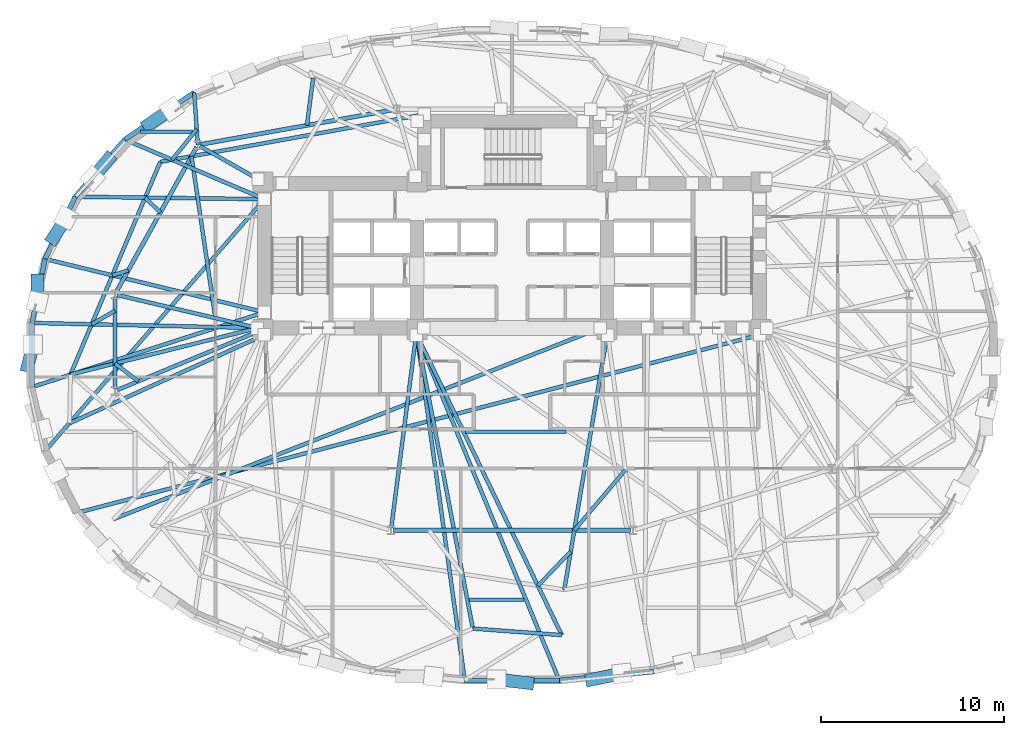
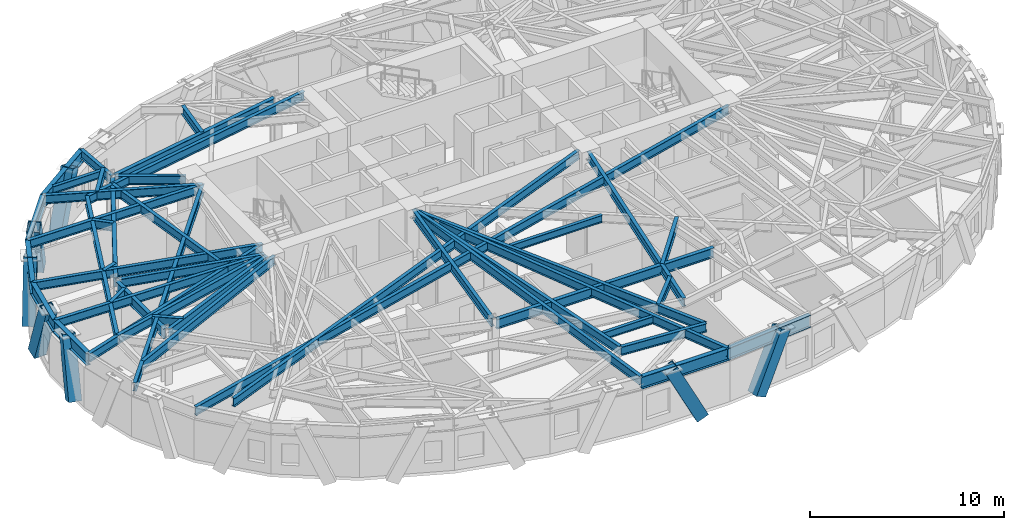
# One storey, part 2 of 14: 46 beams, 7 members.
"""IFC4 building model written with IfcOpenShell, lengths in metres."""

from ifc_helpers import new_model, si_unit, direction, frame, origin, origin_2d, place, context, subcontext, project, spatial, hollow_rectangle, i_section, extrude, material, material_profile, profile_set, type_object, element, save


model = new_model("IFC4")

# Units and contexts
model_context = context("Model", 3, precision=1e-05, world=origin(), true_north=direction((0.0, 1.0)))
body_context = subcontext(model_context, "Body", "Model", "MODEL_VIEW")
ifc_project = project(units=[si_unit("LENGTHUNIT", "METRE"), si_unit("AREAUNIT", "SQUARE_METRE"), si_unit("VOLUMEUNIT", "CUBIC_METRE"), si_unit("PLANEANGLEUNIT", "RADIAN"), si_unit("MASSUNIT", "GRAM", prefix="KILO")], contexts=[model_context])

# Site, building, storey
site_placement = place(None, origin())
site = spatial("IfcSite", under=ifc_project, at=site_placement, CompositionType="ELEMENT")
building_placement = place(site_placement, origin())
building = spatial("IfcBuilding", under=site, at=building_placement, Name="Keldmark Tower", CompositionType="ELEMENT")
storey_placement = place(building_placement, frame((0.0, 0.0, 117.60009765625)))
storey = spatial("IfcBuildingStorey", under=building, at=storey_placement, Name="L31", CompositionType="ELEMENT", Elevation=117.60009765625)

# Beams
ifc_material_1 = material(Name="Steel ASTM A992 Grade 50", Category="steel")
ifc_material_profile_1 = material_profile(ifc_material_1, i_section(OverallWidth=0.19091796875, OverallDepth=0.45703125, WebThickness=0.009033203125, FlangeThickness=0.014404296875, at=origin_2d()), Name="W18X50")
ifc_profile_set_1 = profile_set([ifc_material_profile_1], Name="Steel ASTM A992 Grade 50")
beam_type_1 = type_object("IfcBeamType", Name="Composite Floor Joist W18X50", PredefinedType="JOIST", material=ifc_profile_set_1)
beam_1_placement = place(storey_placement, frame((-2.3408203125, -13.3798828125, 3.081298828125), z_axis=(1.0, 0.0, 0.0), x_axis=(0.0, 1.0, 0.0)))
element("IfcBeam", 1, at=beam_1_placement, inside=storey, type_object=beam_type_1, Name="L31 Composite Floor Joist J02", PredefinedType="JOIST", context=body_context, shape_type="SweptSolid", body=[
    extrude(i_section(OverallWidth=0.19091796875, OverallDepth=0.45703125, WebThickness=0.009033203125, FlangeThickness=0.014404296875, at=origin_2d()), origin(), (0.0, 0.0, 1.0), 3.005859375),
])
beam_2_placement = place(storey_placement, frame((-2.543701171875, -4.179931640625, 3.081298828125), z_axis=(1.0, 0.0, 0.0), x_axis=(0.0, 1.0, 0.0)))
element("IfcBeam", 2, at=beam_2_placement, inside=storey, type_object=beam_type_1, Name="L31 Composite Floor Joist J06", PredefinedType="JOIST", context=body_context, shape_type="SweptSolid", body=[
    extrude(i_section(OverallWidth=0.19091796875, OverallDepth=0.45703125, WebThickness=0.009033203125, FlangeThickness=0.014404296875, at=origin_2d()), origin(), (0.0, 0.0, 1.0), 5.4814453125),
])
beam_3_placement = place(storey_placement, frame((-20.302978515625, 12.199951171875, 3.081298828125), z_axis=(1.0, 0.0, 0.0), x_axis=(0.0, 1.0, 0.0)))
element("IfcBeam", 3, at=beam_3_placement, inside=storey, type_object=beam_type_1, Name="L31 Composite Floor Joist J08", PredefinedType="JOIST", context=body_context, shape_type="SweptSolid", body=[
    extrude(i_section(OverallWidth=0.19091796875, OverallDepth=0.45703125, WebThickness=0.009033203125, FlangeThickness=0.014404296875, at=origin_2d()), origin(), (0.0, 0.0, 1.0), 2.840576171875),
])

# Members
ifc_material_2 = material(Name="Steel ASTM A572 Grade 50", Category="steel")
ifc_material_profile_2 = material_profile(ifc_material_2, hollow_rectangle(XDim=0.699951171875, YDim=0.699951171875, WallThickness=0.044921875, at=origin_2d()), Name="BOX700X700X45")
ifc_profile_set_2 = profile_set([ifc_material_profile_2], Name="Steel ASTM A572 Grade 50")
member_type = type_object("IfcMemberType", Name="Diagrid Zone 2 Brace BOX700X700X45", PredefinedType="BRACE", material=ifc_profile_set_2)
member_1_placement = place(storey_placement, frame((-19.8623046875, 12.58740234375, -0.27001953125), z_axis=(0.335797707694, 0.2257794349, 0.914474464534), x_axis=(-0.557971082519, 0.82986039252, 0.0)))
element("IfcMember", 4, at=member_1_placement, inside=storey, type_object=member_type, Name="L31 Perimeter Diagrid Brace 06B", PredefinedType="BRACE", context=body_context, shape_type="SweptSolid", body=[
    extrude(hollow_rectangle(XDim=0.699951171875, YDim=0.699951171875, WallThickness=0.044921875, at=origin_2d()), origin(), (0.0, 0.0, 1.0), 3.783447265625),
])
member_2_placement = place(storey_placement, frame((-22.047607421875, 10.705810546875, -0.27001953125), z_axis=(-0.233709121442, -0.283325548235, 0.930111111788), x_axis=(0.771419328775, -0.636327132214, 0.0)))
element("IfcMember", 5, at=member_2_placement, inside=storey, type_object=member_type, Name="L31 Perimeter Diagrid Brace 07A", PredefinedType="BRACE", context=body_context, shape_type="SweptSolid", body=[
    extrude(hollow_rectangle(XDim=0.699951171875, YDim=0.699951171875, WallThickness=0.044921875, at=origin_2d()), origin(), (0.0, 0.0, 1.0), 3.719970703125),
])
member_3_placement = place(storey_placement, frame((-25.07470703125, 6.390625, -0.27001953125), z_axis=(0.192675464212, 0.296307008855, 0.935456210624), x_axis=(-0.838345465807, 0.545139321606, 0.0)))
element("IfcMember", 6, at=member_3_placement, inside=storey, type_object=member_type, Name="L31 Perimeter Diagrid Brace 07B", PredefinedType="BRACE", context=body_context, shape_type="SweptSolid", body=[
    extrude(hollow_rectangle(XDim=0.699951171875, YDim=0.699951171875, WallThickness=0.044921875, at=origin_2d()), origin(), (0.0, 0.0, 1.0), 3.69873046875),
])
member_4_placement = place(storey_placement, frame((-25.92724609375, 4.0986328125, -0.27001953125), z_axis=(-0.000666691478, -0.327545523349, 0.94483516322), x_axis=(0.999997928547, -0.002035412026, 0.0)))
element("IfcMember", 7, at=member_4_placement, inside=storey, type_object=member_type, Name="L31 Perimeter Diagrid Brace 08A", PredefinedType="BRACE", context=body_context, shape_type="SweptSolid", body=[
    extrude(hollow_rectangle(XDim=0.699951171875, YDim=0.699951171875, WallThickness=0.044921875, at=origin_2d()), origin(), (0.0, 0.0, 1.0), 3.661865234375),
])
member_5_placement = place(storey_placement, frame((-26.462158203125, -0.59619140625, -0.27001953125), z_axis=(0.081382551716, 0.320268978071, 0.943824486841), x_axis=(-0.969198705656, 0.246280062032, 0.0)))
element("IfcMember", 8, at=member_5_placement, inside=storey, type_object=member_type, Name="L31 Perimeter Diagrid Brace 08B", PredefinedType="BRACE", context=body_context, shape_type="SweptSolid", body=[
    extrude(hollow_rectangle(XDim=0.699951171875, YDim=0.699951171875, WallThickness=0.044921875, at=origin_2d()), origin(), (0.0, 0.0, 1.0), 3.666015625),
])
member_6_placement = place(storey_placement, frame((0.876708984375, -17.921142578125, -0.27001953125), z_axis=(-0.446958771668, 0.05211263276, 0.893035346409), x_axis=(-0.115809319173, -0.993271464199, 0.0)))
element("IfcMember", 9, at=member_6_placement, inside=storey, type_object=member_type, Name="L31 Perimeter Diagrid Brace 12B", PredefinedType="BRACE", context=body_context, shape_type="SweptSolid", body=[
    extrude(hollow_rectangle(XDim=0.699951171875, YDim=0.699951171875, WallThickness=0.044921875, at=origin_2d()), origin(), (0.0, 0.0, 1.0), 3.874267578125),
])
member_7_placement = place(storey_placement, frame((4.3359375, -17.739013671875, -0.27001953125), z_axis=(0.434868401158, 0.088149854764, 0.896169111708), x_axis=(-0.19866427765, 0.980067602151, 0.0)))
element("IfcMember", 10, at=member_7_placement, inside=storey, type_object=member_type, Name="L31 Perimeter Diagrid Brace 13A", PredefinedType="BRACE", context=body_context, shape_type="SweptSolid", body=[
    extrude(hollow_rectangle(XDim=0.699951171875, YDim=0.699951171875, WallThickness=0.044921875, at=origin_2d()), origin(), (0.0, 0.0, 1.0), 3.86083984375),
])

# Beams
ifc_material_3 = material(Name="Steel ASTM A992 Grade 50", Category="steel")
ifc_material_profile_3 = material_profile(ifc_material_3, i_section(OverallWidth=0.22900390625, OverallDepth=0.612060546875, WebThickness=0.011962890625, FlangeThickness=0.01953125, at=origin_2d()), Name="W24X84")
ifc_profile_set_3 = profile_set([ifc_material_profile_3], Name="Steel ASTM A992 Grade 50")
beam_type_2 = type_object("IfcBeamType", Name="Primary Floor Girder W24X84", PredefinedType="BEAM", material=ifc_profile_set_3)
beam_4_placement = place(storey_placement, frame((-6.4365234375, 13.40771484375, 3.00390625), z_axis=(-0.984218266992, -0.176958760505, 0.0), x_axis=(0.176958760505, -0.984218266992, 0.0)))
element("IfcBeam", 11, at=beam_4_placement, inside=storey, type_object=beam_type_2, Name="L31 Floor Ring Girder FG-R04", PredefinedType="BEAM", context=body_context, shape_type="SweptSolid", body=[
    extrude(i_section(OverallWidth=0.22900390625, OverallDepth=0.612060546875, WebThickness=0.011962890625, FlangeThickness=0.01953125, at=origin_2d()), origin(), (0.0, 0.0, 1.0), 10.7626953125),
])
beam_5_placement = place(storey_placement, frame((-17.235107421875, 11.35595703125, 3.00390625), z_axis=(-0.484951836703, -0.874540860154, 0.0), x_axis=(0.874540860154, -0.484951836703, 0.0)))
element("IfcBeam", 12, at=beam_5_placement, inside=storey, type_object=beam_type_2, Name="L31 Floor Ring Girder FG-R05", PredefinedType="BEAM", context=body_context, shape_type="SweptSolid", body=[
    extrude(i_section(OverallWidth=0.22900390625, OverallDepth=0.612060546875, WebThickness=0.011962890625, FlangeThickness=0.01953125, at=origin_2d()), origin(), (0.0, 0.0, 1.0), 9.060302734375),
])
beam_6_placement = place(storey_placement, frame((-21.697021484375, 3.169921875, 3.00390625), z_axis=(0.0, -1.0, 0.0), x_axis=(1.0, 0.0, 0.0)))
element("IfcBeam", 13, at=beam_6_placement, inside=storey, type_object=beam_type_2, Name="L31 Floor Ring Girder FG-R06", PredefinedType="BEAM", context=body_context, shape_type="SweptSolid", body=[
    extrude(i_section(OverallWidth=0.22900390625, OverallDepth=0.612060546875, WebThickness=0.011962890625, FlangeThickness=0.01953125, at=origin_2d()), origin(), (0.0, 0.0, 1.0), 4.995849609375),
])
beam_7_placement = place(storey_placement, frame((-6.472900390625, -9.579345703125, 3.00390625), z_axis=(1.0, 0.0, 0.0), x_axis=(0.0, 1.0, 0.0)))
element("IfcBeam", 14, at=beam_7_placement, inside=storey, type_object=beam_type_2, Name="L31 Floor Ring Girder FG-R09", PredefinedType="BEAM", context=body_context, shape_type="SweptSolid", body=[
    extrude(i_section(OverallWidth=0.22900390625, OverallDepth=0.612060546875, WebThickness=0.011962890625, FlangeThickness=0.01953125, at=origin_2d()), origin(), (0.0, 0.0, 1.0), 12.94580078125),
])
ifc_material_4 = material(Name="Steel ASTM A992 Grade 50", Category="steel")
ifc_material_profile_4 = material_profile(ifc_material_4, i_section(OverallWidth=0.2099609375, OverallDepth=0.537109375, WebThickness=0.010986328125, FlangeThickness=0.017333984375, at=origin_2d()), Name="W21X68")
ifc_profile_set_4 = profile_set([ifc_material_profile_4], Name="Steel ASTM A992 Grade 50")
beam_type_3 = type_object("IfcBeamType", Name="Radial Tie Girder W21X68", PredefinedType="BEAM", material=ifc_profile_set_4)
beam_8_placement = place(storey_placement, frame((-17.04541015625, 11.4091796875, 3.04150390625), z_axis=(0.86928447329, -0.494312152892, 0.0), x_axis=(0.494312152892, 0.86928447329, 0.0)))
element("IfcBeam", 15, at=beam_8_placement, inside=storey, type_object=beam_type_3, Name="L31 Floor Radial Girder FG-C05", PredefinedType="BEAM", context=body_context, shape_type="SweptSolid", body=[
    extrude(i_section(OverallWidth=0.2099609375, OverallDepth=0.537109375, WebThickness=0.010986328125, FlangeThickness=0.017333984375, at=origin_2d()), origin(), (0.0, 0.0, 1.0), 3.6435546875),
])
beam_9_placement = place(storey_placement, frame((-21.560546875, 3.27783203125, 3.04150390625), z_axis=(0.973283778272, -0.229605502879, 0.0), x_axis=(0.229605502879, 0.973283778272, 0.0)))
element("IfcBeam", 16, at=beam_9_placement, inside=storey, type_object=beam_type_3, Name="L31 Floor Radial Girder FG-C06", PredefinedType="BEAM", context=body_context, shape_type="SweptSolid", body=[
    extrude(i_section(OverallWidth=0.2099609375, OverallDepth=0.537109375, WebThickness=0.010986328125, FlangeThickness=0.017333984375, at=origin_2d()), origin(), (0.0, 0.0, 1.0), 7.85888671875),
])
beam_10_placement = place(storey_placement, frame((-21.567626953125, -1.912109375, 3.04150390625), z_axis=(0.923397393633, 0.383845350932, 0.0), x_axis=(-0.383845350932, 0.923397393633, 0.0)))
element("IfcBeam", 17, at=beam_10_placement, inside=storey, type_object=beam_type_3, Name="L31 Floor Radial Girder FG-C07", PredefinedType="BEAM", context=body_context, shape_type="SweptSolid", body=[
    extrude(i_section(OverallWidth=0.2099609375, OverallDepth=0.537109375, WebThickness=0.010986328125, FlangeThickness=0.017333984375, at=origin_2d()), origin(), (0.0, 0.0, 1.0), 8.30859375),
])
beam_11_placement = place(storey_placement, frame((-6.594970703125, -9.4404296875, 3.04150390625), z_axis=(0.127642040045, 0.991820301069, 0.0), x_axis=(-0.991820301069, 0.127642040045, 0.0)))
element("IfcBeam", 18, at=beam_11_placement, inside=storey, type_object=beam_type_3, Name="L31 Floor Radial Girder FG-C09", PredefinedType="BEAM", context=body_context, shape_type="SweptSolid", body=[
    extrude(i_section(OverallWidth=0.2099609375, OverallDepth=0.537109375, WebThickness=0.010986328125, FlangeThickness=0.017333984375, at=origin_2d()), origin(), (0.0, 0.0, 1.0), 10.609619140625),
])
beam_12_placement = place(storey_placement, frame((-16.206298828125, 2.014892578125, 3.04150390625), z_axis=(-0.145924065507, 0.989295793535, 0.0), x_axis=(-0.989295793535, -0.145924065507, 0.0)))
element("IfcBeam", 19, at=beam_12_placement, inside=storey, type_object=beam_type_3, Name="L31 Framing Pin Header PH-004", PredefinedType="BEAM", context=body_context, shape_type="SweptSolid", body=[
    extrude(i_section(OverallWidth=0.2099609375, OverallDepth=0.537109375, WebThickness=0.010986328125, FlangeThickness=0.017333984375, at=origin_2d()), origin(), (0.0, 0.0, 1.0), 8.939208984375),
])
beam_13_placement = place(storey_placement, frame((-4.800048828125, 13.14990234375, 3.04150390625), z_axis=(-0.984137510219, -0.177407330683, 0.0), x_axis=(0.177407330683, -0.984137510219, 0.0)))
element("IfcBeam", 20, at=beam_13_placement, inside=storey, type_object=beam_type_3, Name="L31 Sub-Ring Step Girder STP1-M06", PredefinedType="BEAM", context=body_context, shape_type="SweptSolid", body=[
    extrude(i_section(OverallWidth=0.2099609375, OverallDepth=0.537109375, WebThickness=0.010986328125, FlangeThickness=0.017333984375, at=origin_2d()), origin(), (0.0, 0.0, 1.0), 14.6533203125),
])
beam_14_placement = place(storey_placement, frame((-20.416748046875, -1.433837890625, 3.04150390625), z_axis=(-0.796267517739, 0.604944658786, 0.0), x_axis=(-0.604944658786, -0.796267517739, 0.0)))
element("IfcBeam", 21, at=beam_14_placement, inside=storey, type_object=beam_type_3, Name="L31 Framing Pin Header PH-005", PredefinedType="BEAM", context=body_context, shape_type="SweptSolid", body=[
    extrude(i_section(OverallWidth=0.2099609375, OverallDepth=0.537109375, WebThickness=0.010986328125, FlangeThickness=0.017333984375, at=origin_2d()), origin(), (0.0, 0.0, 1.0), 1.60791015625),
])
beam_15_placement = place(storey_placement, frame((-13.89990234375, 1.47509765625, 3.04150390625), z_axis=(-0.970521676589, -0.241013848713, 0.0), x_axis=(0.241013848713, -0.970521676589, 0.0)))
element("IfcBeam", 22, at=beam_15_placement, inside=storey, type_object=beam_type_3, Name="L31 Sub-Ring Step Girder STP1-M07", PredefinedType="BEAM", context=body_context, shape_type="SweptSolid", body=[
    extrude(i_section(OverallWidth=0.2099609375, OverallDepth=0.537109375, WebThickness=0.010986328125, FlangeThickness=0.017333984375, at=origin_2d()), origin(), (0.0, 0.0, 1.0), 10.533935546875),
])
beam_16_placement = place(storey_placement, frame((-19.220947265625, 10.55029296875, 3.04150390625), z_axis=(-0.388881086855, -0.921287957311, 0.0), x_axis=(0.921287957311, -0.388881086855, 0.0)))
element("IfcBeam", 23, at=beam_16_placement, inside=storey, type_object=beam_type_3, Name="L31 Perimeter Collector Ring Beam CRG1-M06", PredefinedType="BEAM", context=body_context, shape_type="SweptSolid", body=[
    extrude(i_section(OverallWidth=0.2099609375, OverallDepth=0.537109375, WebThickness=0.010986328125, FlangeThickness=0.017333984375, at=origin_2d()), origin(), (0.0, 0.0, 1.0), 12.606201171875),
])
beam_17_placement = place(storey_placement, frame((6.188720703125, -6.283447265625, 3.04150390625), z_axis=(-0.645478002057, -0.763778861229, 0.0), x_axis=(0.763778861229, -0.645478002057, 0.0)))
element("IfcBeam", 24, at=beam_17_placement, inside=storey, type_object=beam_type_3, Name="L31 Framing Pin Header PH-010", PredefinedType="BEAM", context=body_context, shape_type="SweptSolid", body=[
    extrude(i_section(OverallWidth=0.2099609375, OverallDepth=0.537109375, WebThickness=0.010986328125, FlangeThickness=0.017333984375, at=origin_2d()), origin(), (0.0, 0.0, 1.0), 4.315185546875),
])
beam_18_placement = place(storey_placement, frame((5.199951171875, 1.10009765625, 3.04150390625), z_axis=(-0.165909513136, -0.986140980515, 0.0), x_axis=(0.986140980515, -0.165909513136, 0.0)))
element("IfcBeam", 25, at=beam_18_placement, inside=storey, type_object=beam_type_3, Name="L31 Sub-Ring Step Girder STP2-M10", PredefinedType="BEAM", context=body_context, shape_type="SweptSolid", body=[
    extrude(i_section(OverallWidth=0.2099609375, OverallDepth=0.537109375, WebThickness=0.010986328125, FlangeThickness=0.017333984375, at=origin_2d()), origin(), (0.0, 0.0, 1.0), 14.125244140625),
])
beam_19_placement = place(storey_placement, frame((-11.203369140625, 12.550537109375, 3.04150390625), z_axis=(0.12931913867, 0.991603025597, 0.0), x_axis=(-0.991603025597, 0.12931913867, 0.0)))
element("IfcBeam", 26, at=beam_19_placement, inside=storey, type_object=beam_type_3, Name="L31 Framing Pin Header PH-020", PredefinedType="BEAM", context=body_context, shape_type="SweptSolid", body=[
    extrude(i_section(OverallWidth=0.2099609375, OverallDepth=0.537109375, WebThickness=0.010986328125, FlangeThickness=0.017333984375, at=origin_2d()), origin(), (0.0, 0.0, 1.0), 2.603515625),
])
beam_20_placement = place(storey_placement, frame((-17.1669921875, 11.478271484375, 3.04150390625), z_axis=(-0.068886629641, 0.997624494615, 0.0), x_axis=(-0.997624494615, -0.068886629641, 0.0)))
element("IfcBeam", 27, at=beam_20_placement, inside=storey, type_object=beam_type_3, Name="L31 Perimeter Column Bracket RT-12", PredefinedType="BEAM", context=body_context, shape_type="SweptSolid", body=[
    extrude(i_section(OverallWidth=0.2099609375, OverallDepth=0.537109375, WebThickness=0.010986328125, FlangeThickness=0.017333984375, at=origin_2d()), origin(), (0.0, 0.0, 1.0), 2.874267578125),
])
beam_21_placement = place(storey_placement, frame((-17.2265625, 12.33837890625, 3.04150390625), z_axis=(-0.626485019168, -0.779433461405, 0.0), x_axis=(0.779433461405, -0.626485019168, 0.0)))
element("IfcBeam", 28, at=beam_21_placement, inside=storey, type_object=beam_type_3, Name="L31 Framing Pin Header PH-021", PredefinedType="BEAM", context=body_context, shape_type="SweptSolid", body=[
    extrude(i_section(OverallWidth=0.2099609375, OverallDepth=0.537109375, WebThickness=0.010986328125, FlangeThickness=0.017333984375, at=origin_2d()), origin(), (0.0, 0.0, 1.0), 2.143798828125),
])
beam_22_placement = place(storey_placement, frame((-13.52490234375, 8.514404296875, 3.04150390625), z_axis=(-0.919717574211, 0.392580671567, 0.0), x_axis=(-0.392580671567, -0.919717574211, 0.0)))
element("IfcBeam", 29, at=beam_22_placement, inside=storey, type_object=beam_type_3, Name="L31 Perimeter Radial Tie Girder RT-13", PredefinedType="BEAM", context=body_context, shape_type="SweptSolid", body=[
    extrude(i_section(OverallWidth=0.2099609375, OverallDepth=0.537109375, WebThickness=0.010986328125, FlangeThickness=0.017333984375, at=origin_2d()), origin(), (0.0, 0.0, 1.0), 8.301025390625),
])
beam_23_placement = place(storey_placement, frame((-19.21240234375, 7.790283203125, 3.04150390625), z_axis=(-0.71723731818, 0.696828981465, 0.0), x_axis=(-0.696828981465, -0.71723731818, 0.0)))
element("IfcBeam", 30, at=beam_23_placement, inside=storey, type_object=beam_type_3, Name="L31 Framing Pin Header PH-022", PredefinedType="BEAM", context=body_context, shape_type="SweptSolid", body=[
    extrude(i_section(OverallWidth=0.2099609375, OverallDepth=0.537109375, WebThickness=0.010986328125, FlangeThickness=0.017333984375, at=origin_2d()), origin(), (0.0, 0.0, 1.0), 1.160400390625),
])
beam_24_placement = place(storey_placement, frame((-13.52490234375, 8.514404296875, 3.04150390625), z_axis=(-0.999916005548, 0.012960781184, 0.0), x_axis=(-0.012960781184, -0.999916005548, 0.0)))
element("IfcBeam", 31, at=beam_24_placement, inside=storey, type_object=beam_type_3, Name="L31 Perimeter Radial Tie Girder RT-14", PredefinedType="BEAM", context=body_context, shape_type="SweptSolid", body=[
    extrude(i_section(OverallWidth=0.2099609375, OverallDepth=0.537109375, WebThickness=0.010986328125, FlangeThickness=0.017333984375, at=origin_2d()), origin(), (0.0, 0.0, 1.0), 10.341552734375),
])
beam_25_placement = place(storey_placement, frame((-20.969970703125, 4.620849609375, 3.04150390625), z_axis=(-0.955703285289, -0.294331837368, 0.0), x_axis=(0.294331837368, -0.955703285289, 0.0)))
element("IfcBeam", 32, at=beam_25_placement, inside=storey, type_object=beam_type_3, Name="L31 Framing Pin Header PH-023", PredefinedType="BEAM", context=body_context, shape_type="SweptSolid", body=[
    extrude(i_section(OverallWidth=0.2099609375, OverallDepth=0.537109375, WebThickness=0.010986328125, FlangeThickness=0.017333984375, at=origin_2d()), origin(), (0.0, 0.0, 1.0), 0.906494140625),
])
beam_26_placement = place(storey_placement, frame((-13.52490234375, 2.335693359375, 3.04150390625), z_axis=(-0.971755843222, 0.235988519136, 0.0), x_axis=(-0.235988519136, -0.971755843222, 0.0)))
element("IfcBeam", 33, at=beam_26_placement, inside=storey, type_object=beam_type_3, Name="L31 Perimeter Radial Tie Girder RT-15", PredefinedType="BEAM", context=body_context, shape_type="SweptSolid", body=[
    extrude(i_section(OverallWidth=0.2099609375, OverallDepth=0.537109375, WebThickness=0.010986328125, FlangeThickness=0.017333984375, at=origin_2d()), origin(), (0.0, 0.0, 1.0), 12.337890625),
])
beam_27_placement = place(storey_placement, frame((-21.697021484375, 2.42041015625, 3.04150390625), z_axis=(-0.863139809677, -0.504965017551, 0.0), x_axis=(0.504965017551, -0.863139809677, 0.0)))
element("IfcBeam", 34, at=beam_27_placement, inside=storey, type_object=beam_type_3, Name="L31 Framing Pin Header PH-024", PredefinedType="BEAM", context=body_context, shape_type="SweptSolid", body=[
    extrude(i_section(OverallWidth=0.2099609375, OverallDepth=0.537109375, WebThickness=0.010986328125, FlangeThickness=0.017333984375, at=origin_2d()), origin(), (0.0, 0.0, 1.0), 1.47021484375),
])
beam_28_placement = place(storey_placement, frame((-13.89990234375, 1.47509765625, 3.04150390625), z_axis=(-0.999749074582, 0.022400622132, 0.0), x_axis=(-0.022400622132, -0.999749074582, 0.0)))
element("IfcBeam", 35, at=beam_28_placement, inside=storey, type_object=beam_type_3, Name="L31 Perimeter Radial Tie Girder RT-16", PredefinedType="BEAM", context=body_context, shape_type="SweptSolid", body=[
    extrude(i_section(OverallWidth=0.2099609375, OverallDepth=0.537109375, WebThickness=0.010986328125, FlangeThickness=0.017333984375, at=origin_2d()), origin(), (0.0, 0.0, 1.0), 12.32666015625),
])
beam_29_placement = place(storey_placement, frame((-13.52490234375, 2.335693359375, 3.04150390625), z_axis=(-0.951913671136, -0.306366386381, 0.0), x_axis=(0.306366386381, -0.951913671136, 0.0)))
element("IfcBeam", 36, at=beam_29_placement, inside=storey, type_object=beam_type_3, Name="L31 Perimeter Radial Tie Girder RT-17", PredefinedType="BEAM", context=body_context, shape_type="SweptSolid", body=[
    extrude(i_section(OverallWidth=0.2099609375, OverallDepth=0.537109375, WebThickness=0.010986328125, FlangeThickness=0.017333984375, at=origin_2d()), origin(), (0.0, 0.0, 1.0), 13.33984375),
])
beam_30_placement = place(storey_placement, frame((-13.52490234375, 1.10009765625, 3.04150390625), z_axis=(-0.910861464989, -0.412712238246, 0.0), x_axis=(0.412712238246, -0.910861464989, 0.0)))
element("IfcBeam", 37, at=beam_30_placement, inside=storey, type_object=beam_type_3, Name="L31 Intermediate Radial Step Girder RT-18M", PredefinedType="BEAM", context=body_context, shape_type="SweptSolid", body=[
    extrude(i_section(OverallWidth=0.2099609375, OverallDepth=0.537109375, WebThickness=0.010986328125, FlangeThickness=0.017333984375, at=origin_2d()), origin(), (0.0, 0.0, 1.0), 11.690185546875),
])
beam_31_placement = place(storey_placement, frame((-13.52490234375, 8.514404296875, 3.04150390625), z_axis=(-0.656889433065, -0.753986918141, 0.0), x_axis=(0.753986918141, -0.656889433065, 0.0)))
element("IfcBeam", 38, at=beam_31_placement, inside=storey, type_object=beam_type_3, Name="L31 Perimeter Radial Tie Girder RT-18", PredefinedType="BEAM", context=body_context, shape_type="SweptSolid", body=[
    extrude(i_section(OverallWidth=0.2099609375, OverallDepth=0.537109375, WebThickness=0.010986328125, FlangeThickness=0.017333984375, at=origin_2d()), origin(), (0.0, 0.0, 1.0), 18.251953125),
])
beam_32_placement = place(storey_placement, frame((4.824951171875, 1.47509765625, 3.04150390625), z_axis=(-0.930848292691, -0.365405878434, 0.0), x_axis=(0.365405878434, -0.930848292691, 0.0)))
element("IfcBeam", 39, at=beam_32_placement, inside=storey, type_object=beam_type_3, Name="L31 Intermediate Radial Step Girder RT-19M", PredefinedType="BEAM", context=body_context, shape_type="SweptSolid", body=[
    extrude(i_section(OverallWidth=0.2099609375, OverallDepth=0.537109375, WebThickness=0.010986328125, FlangeThickness=0.017333984375, at=origin_2d()), origin(), (0.0, 0.0, 1.0), 28.59228515625),
])
beam_33_placement = place(storey_placement, frame((13.52490234375, 1.10009765625, 3.04150390625), z_axis=(-0.967651885268, -0.252289177209, 0.0), x_axis=(0.252289177209, -0.967651885268, 0.0)))
element("IfcBeam", 40, at=beam_33_placement, inside=storey, type_object=beam_type_3, Name="L31 Perimeter Radial Tie Girder RT-19", PredefinedType="BEAM", context=body_context, shape_type="SweptSolid", body=[
    extrude(i_section(OverallWidth=0.2099609375, OverallDepth=0.537109375, WebThickness=0.010986328125, FlangeThickness=0.017333984375, at=origin_2d()), origin(), (0.0, 0.0, 1.0), 38.640380859375),
])
beam_34_placement = place(storey_placement, frame((-5.199951171875, 1.10009765625, 3.04150390625), z_axis=(0.187322921759, -0.982298387957, 0.0), x_axis=(0.982298387957, 0.187322921759, 0.0)))
element("IfcBeam", 41, at=beam_34_placement, inside=storey, type_object=beam_type_3, Name="L31 Intermediate Radial Step Girder RT-24M", PredefinedType="BEAM", context=body_context, shape_type="SweptSolid", body=[
    extrude(i_section(OverallWidth=0.2099609375, OverallDepth=0.537109375, WebThickness=0.010986328125, FlangeThickness=0.017333984375, at=origin_2d()), origin(), (0.0, 0.0, 1.0), 16.337158203125),
])
beam_35_placement = place(storey_placement, frame((-5.199951171875, 1.10009765625, 3.04150390625), z_axis=(0.137317026744, -0.990527149636, 0.0), x_axis=(0.990527149636, 0.137317026744, 0.0)))
element("IfcBeam", 42, at=beam_35_placement, inside=storey, type_object=beam_type_3, Name="L31 Perimeter Radial Tie Girder RT-24", PredefinedType="BEAM", context=body_context, shape_type="SweptSolid", body=[
    extrude(i_section(OverallWidth=0.2099609375, OverallDepth=0.537109375, WebThickness=0.010986328125, FlangeThickness=0.017333984375, at=origin_2d()), origin(), (0.0, 0.0, 1.0), 19.0595703125),
])
beam_36_placement = place(storey_placement, frame((3.2080078125, -10.739990234375, 3.04150390625), z_axis=(-0.693042670158, -0.720896564939, 0.0), x_axis=(0.720896564939, -0.693042670158, 0.0)))
element("IfcBeam", 43, at=beam_36_placement, inside=storey, type_object=beam_type_3, Name="L31 Framing Pin Header PH-035", PredefinedType="BEAM", context=body_context, shape_type="SweptSolid", body=[
    extrude(i_section(OverallWidth=0.2099609375, OverallDepth=0.537109375, WebThickness=0.010986328125, FlangeThickness=0.017333984375, at=origin_2d()), origin(), (0.0, 0.0, 1.0), 2.585693359375),
])
beam_37_placement = place(storey_placement, frame((-5.199951171875, 1.10009765625, 3.04150390625), z_axis=(0.43476518242, -0.900543855765, 0.0), x_axis=(0.900543855765, 0.43476518242, 0.0)))
element("IfcBeam", 44, at=beam_37_placement, inside=storey, type_object=beam_type_3, Name="L31 Intermediate Radial Step Girder RT-25M", PredefinedType="BEAM", context=body_context, shape_type="SweptSolid", body=[
    extrude(i_section(OverallWidth=0.2099609375, OverallDepth=0.537109375, WebThickness=0.010986328125, FlangeThickness=0.017333984375, at=origin_2d()), origin(), (0.0, 0.0, 1.0), 18.216064453125),
])
beam_38_placement = place(storey_placement, frame((-2.1396484375, -14.94775390625, 3.04150390625), z_axis=(0.99732054328, -0.073155546282, 0.0), x_axis=(0.073155546282, 0.99732054328, 0.0)))
element("IfcBeam", 45, at=beam_38_placement, inside=storey, type_object=beam_type_3, Name="L31 Local Collector Chord RT-25C", PredefinedType="BEAM", context=body_context, shape_type="SweptSolid", body=[
    extrude(i_section(OverallWidth=0.2099609375, OverallDepth=0.537109375, WebThickness=0.010986328125, FlangeThickness=0.017333984375, at=origin_2d()), origin(), (0.0, 0.0, 1.0), 4.872314453125),
])
beam_39_placement = place(storey_placement, frame((-5.199951171875, 1.10009765625, 3.04150390625), z_axis=(0.381128611056, -0.924522028853, 0.0), x_axis=(0.924522028853, 0.381128611056, 0.0)))
element("IfcBeam", 46, at=beam_39_placement, inside=storey, type_object=beam_type_3, Name="L31 Perimeter Radial Tie Girder RT-25", PredefinedType="BEAM", context=body_context, shape_type="SweptSolid", body=[
    extrude(i_section(OverallWidth=0.2099609375, OverallDepth=0.537109375, WebThickness=0.010986328125, FlangeThickness=0.017333984375, at=origin_2d()), origin(), (0.0, 0.0, 1.0), 20.420166015625),
])
ifc_material_5 = material(Name="Steel ASTM A992 Grade 50", Category="steel")
ifc_material_profile_5 = material_profile(ifc_material_5, i_section(OverallWidth=0.26806640625, OverallDepth=0.77001953125, WebThickness=0.015625, FlangeThickness=0.025390625, at=origin_2d()), Name="W30X132")
ifc_profile_set_5 = profile_set([ifc_material_profile_5], Name="Steel ASTM A992 Grade 50")
beam_type_4 = type_object("IfcBeamType", Name="Spandrel Ring Beam W30X132", PredefinedType="SPANDREL", material=ifc_profile_set_5)
beam_40_placement = place(storey_placement, frame((-17.364990234375, 14.345703125, 2.9248046875), z_axis=(-0.827707240431, -0.56116015908, 0.0), x_axis=(0.56116015908, -0.827707240431, 0.0)))
element("IfcBeam", 47, at=beam_40_placement, inside=storey, type_object=beam_type_4, Name="L31 Perimeter Spandrel Ring Beam SRB-12", PredefinedType="SPANDREL", context=body_context, shape_type="SweptSolid", body=[
    extrude(i_section(OverallWidth=0.26806640625, OverallDepth=0.77001953125, WebThickness=0.015625, FlangeThickness=0.025390625, at=origin_2d()), origin(), (0.0, 0.0, 1.0), 4.584228515625),
])
beam_41_placement = place(storey_placement, frame((-21.159423828125, 11.773193359375, 2.9248046875), z_axis=(-0.654644924638, -0.755936520249, 0.0), x_axis=(0.755936520249, -0.654644924638, 0.0)))
element("IfcBeam", 48, at=beam_41_placement, inside=storey, type_object=beam_type_4, Name="L31 Perimeter Spandrel Ring Beam SRB-13", PredefinedType="SPANDREL", context=body_context, shape_type="SweptSolid", body=[
    extrude(i_section(OverallWidth=0.26806640625, OverallDepth=0.77001953125, WebThickness=0.015625, FlangeThickness=0.025390625, at=origin_2d()), origin(), (0.0, 0.0, 1.0), 4.133544921875),
])
beam_42_placement = place(storey_placement, frame((-23.865478515625, 8.6484375, 2.9248046875), z_axis=(-0.43625131955, -0.899824864177, 0.0), x_axis=(0.899824864177, -0.43625131955, 0.0)))
element("IfcBeam", 49, at=beam_42_placement, inside=storey, type_object=beam_type_4, Name="L31 Perimeter Spandrel Ring Beam SRB-14", PredefinedType="SPANDREL", context=body_context, shape_type="SweptSolid", body=[
    extrude(i_section(OverallWidth=0.26806640625, OverallDepth=0.77001953125, WebThickness=0.015625, FlangeThickness=0.025390625, at=origin_2d()), origin(), (0.0, 0.0, 1.0), 3.77978515625),
])
beam_43_placement = place(storey_placement, frame((-25.514404296875, 5.247314453125, 2.9248046875), z_axis=(-0.198747709054, -0.980050686519, 0.0), x_axis=(0.980050686519, -0.198747709054, 0.0)))
element("IfcBeam", 50, at=beam_43_placement, inside=storey, type_object=beam_type_4, Name="L31 Perimeter Spandrel Ring Beam SRB-15", PredefinedType="SPANDREL", context=body_context, shape_type="SweptSolid", body=[
    extrude(i_section(OverallWidth=0.26806640625, OverallDepth=0.77001953125, WebThickness=0.015625, FlangeThickness=0.025390625, at=origin_2d()), origin(), (0.0, 0.0, 1.0), 3.567138671875),
])
beam_44_placement = place(storey_placement, frame((-26.223388671875, 1.751220703125, 2.9248046875), z_axis=(0.0, -1.0, 0.0), x_axis=(1.0, 0.0, 0.0)))
element("IfcBeam", 51, at=beam_44_placement, inside=storey, type_object=beam_type_4, Name="L31 Perimeter Spandrel Ring Beam SRB-16", PredefinedType="SPANDREL", context=body_context, shape_type="SweptSolid", body=[
    extrude(i_section(OverallWidth=0.26806640625, OverallDepth=0.77001953125, WebThickness=0.015625, FlangeThickness=0.025390625, at=origin_2d()), origin(), (0.0, 0.0, 1.0), 3.50244140625),
])
beam_45_placement = place(storey_placement, frame((-2.582763671875, -17.77880859375, 2.9248046875), z_axis=(1.0, 0.0, 0.0), x_axis=(0.0, 1.0, 0.0)))
element("IfcBeam", 52, at=beam_45_placement, inside=storey, type_object=beam_type_4, Name="L31 Perimeter Spandrel Ring Beam SRB-24", PredefinedType="SPANDREL", context=body_context, shape_type="SweptSolid", body=[
    extrude(i_section(OverallWidth=0.26806640625, OverallDepth=0.77001953125, WebThickness=0.015625, FlangeThickness=0.025390625, at=origin_2d()), origin(), (0.0, 0.0, 1.0), 5.16552734375),
])
beam_46_placement = place(storey_placement, frame((2.582763671875, -17.77880859375, 2.9248046875), z_axis=(0.995683505502, 0.092813559737, 0.0), x_axis=(-0.092813559737, 0.995683505502, 0.0)))
element("IfcBeam", 53, at=beam_46_placement, inside=storey, type_object=beam_type_4, Name="L31 Perimeter Spandrel Ring Beam SRB-25", PredefinedType="SPANDREL", context=body_context, shape_type="SweptSolid", body=[
    extrude(i_section(OverallWidth=0.26806640625, OverallDepth=0.77001953125, WebThickness=0.015625, FlangeThickness=0.025390625, at=origin_2d()), origin(), (0.0, 0.0, 1.0), 5.179443359375),
])

save(model, "model.ifc")
